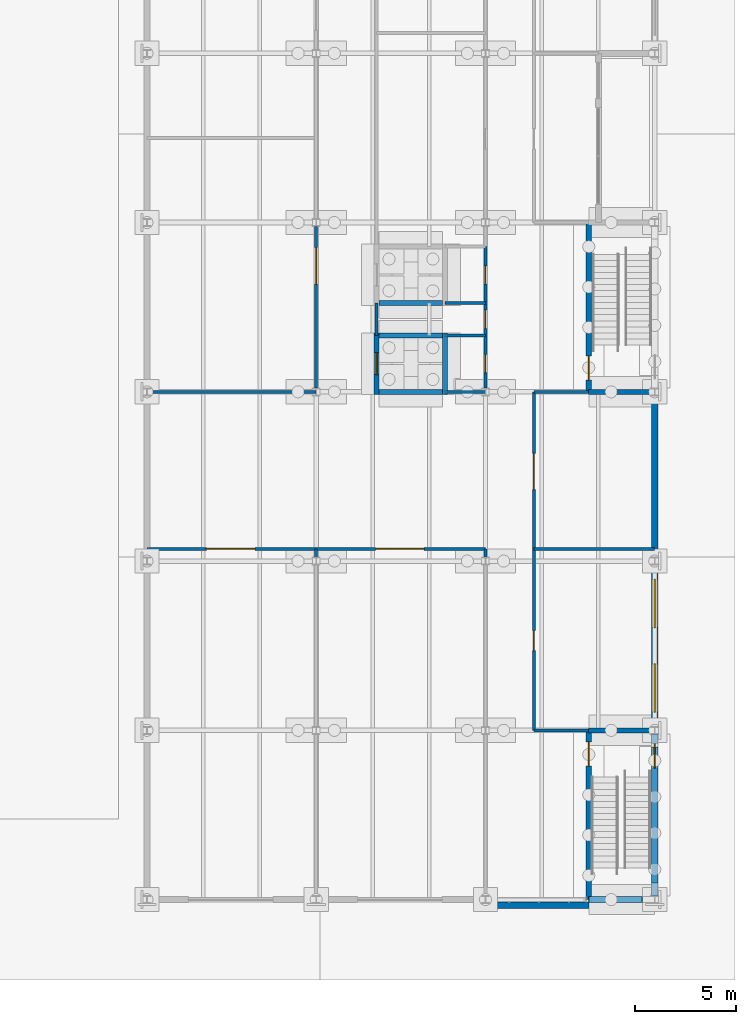
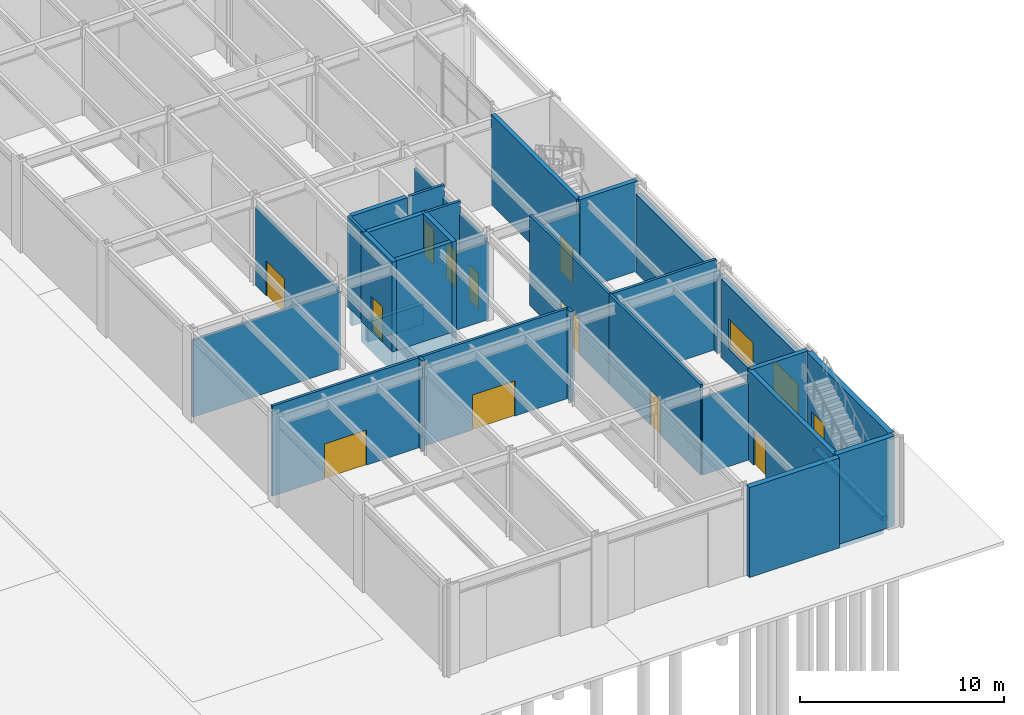
# One storey, part 61 of 127: 36 walls, 12 doors, 2 windows, 14 openings.
"""IFC4 building model written with IfcOpenShell, lengths in metres."""

from ifc_helpers import new_model, si_unit, direction, frame, frame_2d, origin, place, context, subcontext, project, spatial, rectangle, extrude, material, layer, layer_set, type_object, element, fill, save


model = new_model("IFC4")

# Units and contexts
model_context = context("Model", 3, precision=1e-05, world=origin(), true_north=direction((0.0, 1.0)))
body_context = subcontext(model_context, "Body", "Model", "MODEL_VIEW")
ifc_project = project(units=[si_unit("LENGTHUNIT", "METRE"), si_unit("AREAUNIT", "SQUARE_METRE"), si_unit("VOLUMEUNIT", "CUBIC_METRE"), si_unit("PLANEANGLEUNIT", "RADIAN"), si_unit("MASSUNIT", "GRAM", prefix="KILO")], contexts=[model_context])

# Site, building, storey
site_placement = place(None, origin())
site = spatial("IfcSite", under=ifc_project, at=site_placement, CompositionType="ELEMENT")
building_placement = place(site_placement, origin())
building = spatial("IfcBuilding", under=site, at=building_placement, Name="Ljudholm Concert House", CompositionType="ELEMENT")
storey_placement = place(building_placement, origin())
storey = spatial("IfcBuildingStorey", under=building, at=storey_placement, Name="L00", CompositionType="ELEMENT", Elevation=0.0)

# Wall, opening, door
ifc_material_1 = material(Name="Gypsum board on steel studs", Category="steel")
ifc_layer_1 = layer(ifc_material_1, 0.14990234375)
ifc_layer_set_1 = layer_set([ifc_layer_1], Name="Gypsum board on steel studs")
wall_type_1 = type_object("IfcWallType", Name="GYPSUM PARTITION 150", PredefinedType="PARTITIONING", material=ifc_layer_set_1)
wall_1_placement = place(storey_placement, frame((104.800048828125, 29.38671875, 0.0), z_axis=(0.0, 0.0, 1.0), x_axis=(0.0, 1.0, 0.0)))
wall_1 = element("IfcWall", 1, at=wall_1_placement, inside=storey, type_object=wall_type_1, Name="Partition", PredefinedType="PARTITIONING", context=body_context, shape_type="SweptSolid", body=[
    extrude(rectangle(XDim=8.026611328125, YDim=0.14990234375, at=frame_2d((4.01318359375, 0.0))), origin(), (0.0, 0.0, 1.0), 4.6865234375),
])
opening_1_placement = place(wall_1_placement, frame((5.163330078125, 0.0, 0.0)))
opening_1 = element("IfcOpeningElement", 2, at=opening_1_placement, cuts=wall_1, Name="Opening D-W00-018", PredefinedType="OPENING", context=body_context, shape_type="SweptSolid", body=[
    extrude(rectangle(XDim=1.800048828125, YDim=2.10009765625, at=frame_2d((0.89990234375, 1.050048828125))), frame((0.0, 0.0849609375, 0.0), z_axis=(0.0, -1.0, 0.0), x_axis=(1.0, 0.0, 0.0)), (0.0, 0.0, 1.0), 0.169921875),
])
ifc_material_2 = material(Name="Hollow metal door in steel frame", Category="steel")
door_type_1 = type_object("IfcDoorType", Name="DOUBLE DOOR 1800x2100", OperationType="DOUBLE_DOOR_SINGLE_SWING", PredefinedType="DOOR", material=ifc_material_2)
door_1_placement = place(opening_1_placement, origin())
door_1 = element("IfcDoor", 3, at=door_1_placement, inside=storey, type_object=door_type_1, Name="Door", OperationType="DOUBLE_DOOR_SINGLE_SWING", OverallHeight=2.10009765625, OverallWidth=1.800048828125, PredefinedType="DOOR", context=body_context, shape_type="SweptSolid", body=[
    extrude(rectangle(XDim=1.800048828125, YDim=2.10009765625, at=frame_2d((0.89990234375, 1.050048828125))), frame((0.0, 0.02490234375, 0.0), z_axis=(0.0, -1.0, 0.0), x_axis=(1.0, 0.0, 0.0)), (0.0, 0.0, 1.0), 0.050048828125),
])
fill(opening_1, door_1)

# Walls
wall_2_placement = place(storey_placement, frame((104.800048828125, 20.986572265625, 0.0), z_axis=(0.0, 0.0, 1.0), x_axis=(0.0, 1.0, 0.0)))
element("IfcWall", 4, at=wall_2_placement, inside=storey, type_object=wall_type_1, Name="Partition", PredefinedType="PARTITIONING", context=body_context, shape_type="SweptSolid", body=[
    extrude(rectangle(XDim=0.413330078125, YDim=0.14990234375, at=frame_2d((0.20654296875, 0.0))), origin(), (0.0, 0.0, 1.0), 5.39990234375),
])
wall_3_placement = place(storey_placement, frame((107.800048828125, 32.0, 0.0), z_axis=(0.0, 0.0, 1.0), x_axis=(0.0, 1.0, 0.0)))
element("IfcWall", 5, at=wall_3_placement, inside=storey, type_object=wall_type_1, Name="Partition", PredefinedType="PARTITIONING", context=body_context, shape_type="SweptSolid", body=[
    extrude(rectangle(XDim=1.60009765625, YDim=0.14990234375, at=frame_2d((0.800048828125, 0.0))), origin(), (0.0, 0.0, 1.0), 5.39990234375),
])
wall_4_placement = place(storey_placement, frame((113.199951171875, 20.986572265625, 0.0), z_axis=(0.0, 0.0, 1.0), x_axis=(0.0, 1.0, 0.0)))
element("IfcWall", 6, at=wall_4_placement, inside=storey, type_object=wall_type_1, Name="Partition", PredefinedType="PARTITIONING", context=body_context, shape_type="SweptSolid", body=[
    extrude(rectangle(XDim=0.413330078125, YDim=0.14990234375, at=frame_2d((0.20654296875, 0.0))), origin(), (0.0, 0.0, 1.0), 5.39990234375),
])

# Wall, openings, doors
wall_5_placement = place(storey_placement, frame((113.199951171875, 29.38671875, 0.0), z_axis=(0.0, 0.0, 1.0), x_axis=(0.0, 1.0, 0.0)))
wall_5 = element("IfcWall", 7, at=wall_5_placement, inside=storey, type_object=wall_type_1, Name="Partition", PredefinedType="PARTITIONING", context=body_context, shape_type="SweptSolid", body=[
    extrude(rectangle(XDim=7.01318359375, YDim=0.14990234375, at=frame_2d((3.506591796875, 0.0))), origin(), (0.0, 0.0, 1.0), 4.6865234375),
])
opening_2_placement = place(wall_5_placement, frame((0.763427734375, 0.0, 0.0)))
opening_2 = element("IfcOpeningElement", 8, at=opening_2_placement, cuts=wall_5, Name="Opening D-W00-024", PredefinedType="OPENING", context=body_context, shape_type="SweptSolid", body=[
    extrude(rectangle(XDim=0.89990234375, YDim=2.10009765625, at=frame_2d((0.449951171875, 1.050048828125))), frame((0.0, 0.0849609375, 0.0), z_axis=(0.0, -1.0, 0.0), x_axis=(1.0, 0.0, 0.0)), (0.0, 0.0, 1.0), 0.169921875),
])
opening_3_placement = place(wall_5_placement, frame((2.96337890625, 0.0, 0.0)))
opening_3 = element("IfcOpeningElement", 9, at=opening_3_placement, cuts=wall_5, Name="Opening D-W00-025", PredefinedType="OPENING", context=body_context, shape_type="SweptSolid", body=[
    extrude(rectangle(XDim=0.89990234375, YDim=2.10009765625, at=frame_2d((0.449951171875, 1.050048828125))), frame((0.0, 0.0849609375, 0.0), z_axis=(0.0, -1.0, 0.0), x_axis=(1.0, 0.0, 0.0)), (0.0, 0.0, 1.0), 0.169921875),
])
opening_4_placement = place(wall_5_placement, frame((5.163330078125, 0.0, 0.0)))
opening_4 = element("IfcOpeningElement", 10, at=opening_4_placement, cuts=wall_5, Name="Opening D-W00-026", PredefinedType="OPENING", context=body_context, shape_type="SweptSolid", body=[
    extrude(rectangle(XDim=0.89990234375, YDim=2.10009765625, at=frame_2d((0.449951171875, 1.050048828125))), frame((0.0, 0.0849609375, 0.0), z_axis=(0.0, -1.0, 0.0), x_axis=(1.0, 0.0, 0.0)), (0.0, 0.0, 1.0), 0.169921875),
])
ifc_material_3 = material(Name="Hollow metal door in steel frame", Category="steel")
door_type_2 = type_object("IfcDoorType", Name="SWING DOOR 900x2100", OperationType="SINGLE_SWING_LEFT", PredefinedType="DOOR", material=ifc_material_3)
door_2_placement = place(opening_2_placement, origin())
door_2 = element("IfcDoor", 11, at=door_2_placement, inside=storey, type_object=door_type_2, Name="Door", OperationType="SINGLE_SWING_RIGHT", OverallHeight=2.10009765625, OverallWidth=0.89990234375, PredefinedType="DOOR", context=body_context, shape_type="SweptSolid", body=[
    extrude(rectangle(XDim=0.89990234375, YDim=2.10009765625, at=frame_2d((0.449951171875, 1.050048828125))), frame((0.0, 0.02490234375, 0.0), z_axis=(0.0, -1.0, 0.0), x_axis=(1.0, 0.0, 0.0)), (0.0, 0.0, 1.0), 0.050048828125),
])
fill(opening_2, door_2)
door_3_placement = place(opening_3_placement, origin())
door_3 = element("IfcDoor", 12, at=door_3_placement, inside=storey, type_object=door_type_2, Name="Door", OperationType="SINGLE_SWING_RIGHT", OverallHeight=2.10009765625, OverallWidth=0.89990234375, PredefinedType="DOOR", context=body_context, shape_type="SweptSolid", body=[
    extrude(rectangle(XDim=0.89990234375, YDim=2.10009765625, at=frame_2d((0.449951171875, 1.050048828125))), frame((0.0, 0.02490234375, 0.0), z_axis=(0.0, -1.0, 0.0), x_axis=(1.0, 0.0, 0.0)), (0.0, 0.0, 1.0), 0.050048828125),
])
fill(opening_3, door_3)
door_4_placement = place(opening_4_placement, origin())
door_4 = element("IfcDoor", 13, at=door_4_placement, inside=storey, type_object=door_type_2, Name="Door", OperationType="SINGLE_SWING_RIGHT", OverallHeight=2.10009765625, OverallWidth=0.89990234375, PredefinedType="DOOR", context=body_context, shape_type="SweptSolid", body=[
    extrude(rectangle(XDim=0.89990234375, YDim=2.10009765625, at=frame_2d((0.449951171875, 1.050048828125))), frame((0.0, 0.02490234375, 0.0), z_axis=(0.0, -1.0, 0.0), x_axis=(1.0, 0.0, 0.0)), (0.0, 0.0, 1.0), 0.050048828125),
])
fill(opening_4, door_4)

# Wall, opening, door
wall_6_placement = place(storey_placement, frame((115.60009765625, 12.39990234375, 0.0), z_axis=(0.0, 0.0, 1.0), x_axis=(0.0, 1.0, 0.0)))
wall_6 = element("IfcWall", 14, at=wall_6_placement, inside=storey, type_object=wall_type_1, Name="Partition", PredefinedType="PARTITIONING", context=body_context, shape_type="SweptSolid", body=[
    extrude(rectangle(XDim=9.0, YDim=0.14990234375, at=frame_2d((4.5, 0.0))), origin(), (0.0, 0.0, 1.0), 5.39990234375),
])
opening_5_placement = place(wall_6_placement, frame((3.949951171875, 0.0, 0.0)))
opening_5 = element("IfcOpeningElement", 15, at=opening_5_placement, cuts=wall_6, Name="Opening D-W00-016", PredefinedType="OPENING", context=body_context, shape_type="SweptSolid", body=[
    extrude(rectangle(XDim=1.0, YDim=2.10009765625, at=frame_2d((0.5, 1.050048828125))), frame((0.0, 0.0849609375, 0.0), z_axis=(0.0, -1.0, 0.0), x_axis=(1.0, 0.0, 0.0)), (0.0, 0.0, 1.0), 0.169921875),
])
ifc_material_4 = material(Name="Hollow metal door in steel frame", Category="steel")
door_type_3 = type_object("IfcDoorType", Name="SWING DOOR 1000x2100", OperationType="SINGLE_SWING_LEFT", PredefinedType="DOOR", material=ifc_material_4)
door_5_placement = place(opening_5_placement, frame((1.0, 0.0, 0.0), z_axis=(0.0, 0.0, 1.0), x_axis=(-1.0, 0.0, 0.0)))
door_5 = element("IfcDoor", 16, at=door_5_placement, inside=storey, type_object=door_type_3, Name="Door", OperationType="SINGLE_SWING_LEFT", OverallHeight=2.10009765625, OverallWidth=1.0, PredefinedType="DOOR", context=body_context, shape_type="SweptSolid", body=[
    extrude(rectangle(XDim=1.0, YDim=2.10009765625, at=frame_2d((0.5, 1.050048828125))), frame((0.0, 0.02490234375, 0.0), z_axis=(0.0, -1.0, 0.0), x_axis=(1.0, 0.0, 0.0)), (0.0, 0.0, 1.0), 0.050048828125),
])
fill(opening_5, door_5)

wall_7_placement = place(storey_placement, frame((115.60009765625, 21.39990234375, 0.0), z_axis=(0.0, 0.0, 1.0), x_axis=(0.0, 1.0, 0.0)))
wall_7 = element("IfcWall", 17, at=wall_7_placement, inside=storey, type_object=wall_type_1, Name="Partition", PredefinedType="PARTITIONING", context=body_context, shape_type="SweptSolid", body=[
    extrude(rectangle(XDim=7.800048828125, YDim=0.14990234375, at=frame_2d((3.89990234375, 0.0))), origin(), (0.0, 0.0, 1.0), 5.39990234375),
])
opening_6_placement = place(wall_7_placement, frame((2.949951171875, 0.0, 0.0)))
opening_6 = element("IfcOpeningElement", 18, at=opening_6_placement, cuts=wall_7, Name="Opening D-W00-017", PredefinedType="OPENING", context=body_context, shape_type="SweptSolid", body=[
    extrude(rectangle(XDim=1.800048828125, YDim=2.10009765625, at=frame_2d((0.89990234375, 1.050048828125))), frame((0.0, 0.0849609375, 0.0), z_axis=(0.0, -1.0, 0.0), x_axis=(1.0, 0.0, 0.0)), (0.0, 0.0, 1.0), 0.169921875),
])
door_6_placement = place(opening_6_placement, frame((1.800048828125, 0.0, 0.0), z_axis=(0.0, 0.0, 1.0), x_axis=(-1.0, 0.0, 0.0)))
door_6 = element("IfcDoor", 19, at=door_6_placement, inside=storey, type_object=door_type_1, Name="Door", OperationType="DOUBLE_DOOR_SINGLE_SWING", OverallHeight=2.10009765625, OverallWidth=1.800048828125, PredefinedType="DOOR", context=body_context, shape_type="SweptSolid", body=[
    extrude(rectangle(XDim=1.800048828125, YDim=2.10009765625, at=frame_2d((0.89990234375, 1.050048828125))), frame((0.0, 0.02490234375, 0.0), z_axis=(0.0, -1.0, 0.0), x_axis=(1.0, 0.0, 0.0)), (0.0, 0.0, 1.0), 0.050048828125),
])
fill(opening_6, door_6)

# Wall
wall_8_placement = place(storey_placement, frame((115.60009765625, 12.39990234375, 0.0), z_axis=(0.0, 0.0, 1.0), x_axis=(1.0, 0.0, 0.0)))
element("IfcWall", 20, at=wall_8_placement, inside=storey, type_object=wall_type_1, Name="Partition", PredefinedType="PARTITIONING", context=body_context, shape_type="SweptSolid", body=[
    extrude(rectangle(XDim=2.724853515625, YDim=0.14990234375, at=frame_2d((1.3623046875, 0.0))), origin(), (0.0, 0.0, 1.0), 4.60791015625),
])

# Wall, openings, doors
wall_9_placement = place(storey_placement, frame((96.39990234375, 21.39990234375, 0.0), z_axis=(0.0, 0.0, 1.0), x_axis=(1.0, 0.0, 0.0)))
wall_9 = element("IfcWall", 21, at=wall_9_placement, inside=storey, type_object=wall_type_1, Name="Partition", PredefinedType="PARTITIONING", context=body_context, shape_type="SweptSolid", body=[
    extrude(rectangle(XDim=16.800048828125, YDim=0.14990234375, at=frame_2d((8.39990234375, 0.0))), origin(), (0.0, 0.0, 1.0), 5.39990234375),
])
opening_7_placement = place(wall_9_placement, frame((2.949951171875, 0.0, 0.0)))
opening_7 = element("IfcOpeningElement", 22, at=opening_7_placement, cuts=wall_9, Name="Opening D-W00-014", PredefinedType="OPENING", context=body_context, shape_type="SweptSolid", body=[
    extrude(rectangle(XDim=2.39990234375, YDim=2.10009765625, at=frame_2d((1.199951171875, 1.050048828125))), frame((0.0, 0.0849609375, 0.0), z_axis=(0.0, -1.0, 0.0), x_axis=(1.0, 0.0, 0.0)), (0.0, 0.0, 1.0), 0.169921875),
])
opening_8_placement = place(wall_9_placement, frame((11.35009765625, 0.0, 0.0)))
opening_8 = element("IfcOpeningElement", 23, at=opening_8_placement, cuts=wall_9, Name="Opening D-W00-015", PredefinedType="OPENING", context=body_context, shape_type="SweptSolid", body=[
    extrude(rectangle(XDim=2.39990234375, YDim=2.10009765625, at=frame_2d((1.199951171875, 1.050048828125))), frame((0.0, 0.0849609375, 0.0), z_axis=(0.0, -1.0, 0.0), x_axis=(1.0, 0.0, 0.0)), (0.0, 0.0, 1.0), 0.169921875),
])
ifc_material_5 = material(Name="Hollow metal door in steel frame", Category="steel")
door_type_4 = type_object("IfcDoorType", Name="DOUBLE DOOR 2400x2100", OperationType="DOUBLE_DOOR_SINGLE_SWING", PredefinedType="DOOR", material=ifc_material_5)
door_7_placement = place(opening_7_placement, origin())
door_7 = element("IfcDoor", 24, at=door_7_placement, inside=storey, type_object=door_type_4, Name="Door", OperationType="DOUBLE_DOOR_SINGLE_SWING", OverallHeight=2.10009765625, OverallWidth=2.39990234375, PredefinedType="DOOR", context=body_context, shape_type="SweptSolid", body=[
    extrude(rectangle(XDim=2.39990234375, YDim=2.10009765625, at=frame_2d((1.199951171875, 1.050048828125))), frame((0.0, 0.02490234375, 0.0), z_axis=(0.0, -1.0, 0.0), x_axis=(1.0, 0.0, 0.0)), (0.0, 0.0, 1.0), 0.050048828125),
])
fill(opening_7, door_7)
door_8_placement = place(opening_8_placement, origin())
door_8 = element("IfcDoor", 25, at=door_8_placement, inside=storey, type_object=door_type_4, Name="Door", OperationType="DOUBLE_DOOR_SINGLE_SWING", OverallHeight=2.10009765625, OverallWidth=2.39990234375, PredefinedType="DOOR", context=body_context, shape_type="SweptSolid", body=[
    extrude(rectangle(XDim=2.39990234375, YDim=2.10009765625, at=frame_2d((1.199951171875, 1.050048828125))), frame((0.0, 0.02490234375, 0.0), z_axis=(0.0, -1.0, 0.0), x_axis=(1.0, 0.0, 0.0)), (0.0, 0.0, 1.0), 0.050048828125),
])
fill(opening_8, door_8)

# Walls
wall_10_placement = place(storey_placement, frame((115.60009765625, 21.39990234375, 0.0), z_axis=(0.0, 0.0, 1.0), x_axis=(1.0, 0.0, 0.0)))
element("IfcWall", 26, at=wall_10_placement, inside=storey, type_object=wall_type_1, Name="Partition", PredefinedType="PARTITIONING", context=body_context, shape_type="SweptSolid", body=[
    extrude(rectangle(XDim=6.0, YDim=0.14990234375, at=frame_2d((3.0, 0.0))), origin(), (0.0, 0.0, 1.0), 5.39990234375),
])
wall_11_placement = place(storey_placement, frame((96.408203125, 29.199951171875, 0.0), z_axis=(0.0, 0.0, 1.0), x_axis=(1.0, 0.0, 0.0)))
element("IfcWall", 27, at=wall_11_placement, inside=storey, type_object=wall_type_1, Name="Partition", PredefinedType="PARTITIONING", context=body_context, shape_type="SweptSolid", body=[
    extrude(rectangle(XDim=8.383544921875, YDim=0.14990234375, at=frame_2d((4.19189453125, 0.0))), origin(), (0.0, 0.0, 1.0), 4.60791015625),
])
wall_12_placement = place(storey_placement, frame((115.60009765625, 29.199951171875, 0.0), z_axis=(0.0, 0.0, 1.0), x_axis=(1.0, 0.0, 0.0)))
element("IfcWall", 28, at=wall_12_placement, inside=storey, type_object=wall_type_1, Name="Partition", PredefinedType="PARTITIONING", context=body_context, shape_type="SweptSolid", body=[
    extrude(rectangle(XDim=2.724853515625, YDim=0.14990234375, at=frame_2d((1.3623046875, 0.0))), origin(), (0.0, 0.0, 1.0), 4.60791015625),
])
wall_13_placement = place(storey_placement, frame((111.199951171875, 29.199951171875, 0.0), z_axis=(0.0, 0.0, 1.0), x_axis=(1.0, 0.0, 0.0)))
element("IfcWall", 29, at=wall_13_placement, inside=storey, type_object=wall_type_1, Name="Partition", PredefinedType="PARTITIONING", context=body_context, shape_type="SweptSolid", body=[
    extrude(rectangle(XDim=1.991943359375, YDim=0.14990234375, at=frame_2d((0.99609375, 0.0))), origin(), (0.0, 0.0, 1.0), 4.60791015625),
])
for number, where, z_axis, x_axis, name in (
    (30, (111.199951171875, 32.0, 0.0), (0.0, 0.0, 1.0), (1.0, 0.0, 0.0), "Partition"),
    (31, (111.199951171875, 33.60009765625, 0.0), (0.0, 0.0, 1.0), (1.0, 0.0, 0.0), "Partition"),
):
    element("IfcWall", number, at=place(storey_placement, frame(where, z_axis=z_axis, x_axis=x_axis)), inside=storey, type_object=wall_type_1, Name=name, PredefinedType="PARTITIONING", context=body_context, shape_type="SweptSolid", body=[
        extrude(rectangle(XDim=2.0, YDim=0.14990234375, at=frame_2d((1.0, 0.0))), origin(), (0.0, 0.0, 1.0), 5.39990234375),
    ])

# Wall, openings, windows
ifc_material_6 = material(Name="Precast concrete 5,000 psi", Category="concrete")
ifc_layer_2 = layer(ifc_material_6, 0.300048828125)
ifc_layer_set_2 = layer_set([ifc_layer_2], Name="Precast concrete 5,000 psi")
wall_type_2 = type_object("IfcWallType", Name="PRECAST PANEL WALL 300", PredefinedType="SOLIDWALL", material=ifc_layer_set_2)
wall_14_placement = place(storey_placement, frame((121.60009765625, 12.586669921875, 0.0), z_axis=(0.0, 0.0, 1.0), x_axis=(0.0, 1.0, 0.0)))
wall_14 = element("IfcWall", 32, at=wall_14_placement, inside=storey, type_object=wall_type_2, Name="Facade wall", PredefinedType="SOLIDWALL", context=body_context, shape_type="SweptSolid", body=[
    extrude(rectangle(XDim=8.026611328125, YDim=0.300048828125, at=frame_2d((4.01318359375, 0.0))), origin(), (0.0, 0.0, 1.0), 4.6865234375),
])
opening_9_placement = place(wall_14_placement, frame((0.71337890625, 0.0, 0.949951171875)))
opening_9 = element("IfcOpeningElement", 33, at=opening_9_placement, cuts=wall_14, Name="Opening X-W00-001", PredefinedType="OPENING", context=body_context, shape_type="SweptSolid", body=[
    extrude(rectangle(XDim=2.39990234375, YDim=1.800048828125, at=frame_2d((1.199951171875, 0.89990234375))), frame((0.0, 0.159912109375, 0.0), z_axis=(0.0, -1.0, 0.0), x_axis=(1.0, 0.0, 0.0)), (0.0, 0.0, 1.0), 0.320068359375),
])
opening_10_placement = place(wall_14_placement, frame((4.913330078125, 0.0, 0.949951171875)))
opening_10 = element("IfcOpeningElement", 34, at=opening_10_placement, cuts=wall_14, Name="Opening X-W00-002", PredefinedType="OPENING", context=body_context, shape_type="SweptSolid", body=[
    extrude(rectangle(XDim=2.39990234375, YDim=1.800048828125, at=frame_2d((1.199951171875, 0.89990234375))), frame((0.0, 0.159912109375, 0.0), z_axis=(0.0, -1.0, 0.0), x_axis=(1.0, 0.0, 0.0)), (0.0, 0.0, 1.0), 0.320068359375),
])
ifc_material_7 = material(Name="Aluminium frame, impact glazing", Category="aluminium")
window_type = type_object("IfcWindowType", Name="CASEMENT WINDOW 2400x1800", PartitioningType="DOUBLE_PANEL_VERTICAL", PredefinedType="WINDOW", material=ifc_material_7)
window_1_placement = place(opening_9_placement, origin())
window_1 = element("IfcWindow", 35, at=window_1_placement, inside=storey, type_object=window_type, Name="Window", OverallHeight=1.800048828125, OverallWidth=2.39990234375, PartitioningType="DOUBLE_PANEL_VERTICAL", PredefinedType="WINDOW", context=body_context, shape_type="SweptSolid", body=[
    extrude(rectangle(XDim=2.39990234375, YDim=1.800048828125, at=frame_2d((1.199951171875, 0.89990234375))), frame((0.0, 0.030029296875, 0.0), z_axis=(0.0, -1.0, 0.0), x_axis=(1.0, 0.0, 0.0)), (0.0, 0.0, 1.0), 0.06005859375),
])
fill(opening_9, window_1)
window_2_placement = place(opening_10_placement, origin())
window_2 = element("IfcWindow", 36, at=window_2_placement, inside=storey, type_object=window_type, Name="Window", OverallHeight=1.800048828125, OverallWidth=2.39990234375, PartitioningType="DOUBLE_PANEL_VERTICAL", PredefinedType="WINDOW", context=body_context, shape_type="SweptSolid", body=[
    extrude(rectangle(XDim=2.39990234375, YDim=1.800048828125, at=frame_2d((1.199951171875, 0.89990234375))), frame((0.0, 0.030029296875, 0.0), z_axis=(0.0, -1.0, 0.0), x_axis=(1.0, 0.0, 0.0)), (0.0, 0.0, 1.0), 0.06005859375),
])
fill(opening_10, window_2)

# Walls
wall_15_placement = place(storey_placement, frame((121.60009765625, 20.986572265625, 0.0), z_axis=(0.0, 0.0, 1.0), x_axis=(0.0, 1.0, 0.0)))
element("IfcWall", 37, at=wall_15_placement, inside=storey, type_object=wall_type_2, Name="Facade wall", PredefinedType="SOLIDWALL", context=body_context, shape_type="SweptSolid", body=[
    extrude(rectangle(XDim=8.02685546875, YDim=0.300048828125, at=frame_2d((4.013427734375, 0.0))), origin(), (0.0, 0.0, 1.0), 4.6865234375),
])
wall_16_placement = place(storey_placement, frame((113.208251953125, 3.720458984375, 0.0), z_axis=(0.0, 0.0, 1.0), x_axis=(1.0, 0.0, 0.0)))
element("IfcWall", 38, at=wall_16_placement, inside=storey, type_object=wall_type_2, Name="Facade wall (braced bay)", PredefinedType="SOLIDWALL", context=body_context, shape_type="SweptSolid", body=[
    extrude(rectangle(XDim=5.11669921875, YDim=0.300048828125, at=frame_2d((2.558349609375, 0.0))), origin(), (0.0, 0.0, 1.0), 5.39990234375),
])

# Wall, opening, door
ifc_material_8 = material(Name="Concrete 6,500 psi", Category="concrete")
ifc_layer_3 = layer(ifc_material_8, 0.25)
ifc_layer_set_3 = layer_set([ifc_layer_3], Name="Concrete 6,500 psi")
wall_type_3 = type_object("IfcWallType", Name="RC CORE WALL 250", PredefinedType="SHEAR", material=ifc_layer_set_3)
wall_17_placement = place(storey_placement, frame((118.324951171875, 4.0, 0.0), z_axis=(0.0, 0.0, 1.0), x_axis=(0.0, 1.0, 0.0)))
wall_17 = element("IfcWall", 39, at=wall_17_placement, inside=storey, type_object=wall_type_3, Name="Stair core wall", PredefinedType="SHEAR", context=body_context, shape_type="SweptSolid", body=[
    extrude(rectangle(XDim=8.39990234375, YDim=0.25, at=frame_2d((4.199951171875, 0.0))), origin(), (0.0, 0.0, 1.0), 5.39990234375),
])
opening_11_placement = place(wall_17_placement, frame((6.625, 0.0, 0.0)))
opening_11 = element("IfcOpeningElement", 40, at=opening_11_placement, cuts=wall_17, Name="Opening D-W00-010", PredefinedType="OPENING", context=body_context, shape_type="SweptSolid", body=[
    extrude(rectangle(XDim=1.199951171875, YDim=2.10009765625, at=frame_2d((0.60009765625, 1.050048828125))), frame((0.0, 0.135009765625, 0.0), z_axis=(0.0, -1.0, 0.0), x_axis=(1.0, 0.0, 0.0)), (0.0, 0.0, 1.0), 0.27001953125),
])
ifc_material_9 = material(Name="Hollow metal door in steel frame", Category="steel")
door_type_5 = type_object("IfcDoorType", Name="SWING DOOR 1200x2100", OperationType="SINGLE_SWING_LEFT", PredefinedType="DOOR", material=ifc_material_9)
door_9_placement = place(opening_11_placement, origin())
door_9 = element("IfcDoor", 41, at=door_9_placement, inside=storey, type_object=door_type_5, Name="Door", OperationType="SINGLE_SWING_RIGHT", OverallHeight=2.10009765625, OverallWidth=1.199951171875, PredefinedType="DOOR", context=body_context, shape_type="SweptSolid", body=[
    extrude(rectangle(XDim=1.199951171875, YDim=2.10009765625, at=frame_2d((0.60009765625, 1.050048828125))), frame((0.0, 0.02490234375, 0.0), z_axis=(0.0, -1.0, 0.0), x_axis=(1.0, 0.0, 0.0)), (0.0, 0.0, 1.0), 0.050048828125),
])
fill(opening_11, door_9)

wall_18_placement = place(storey_placement, frame((118.324951171875, 29.199951171875, 0.0), z_axis=(0.0, 0.0, 1.0), x_axis=(0.0, 1.0, 0.0)))
wall_18 = element("IfcWall", 42, at=wall_18_placement, inside=storey, type_object=wall_type_3, Name="Stair core wall", PredefinedType="SHEAR", context=body_context, shape_type="SweptSolid", body=[
    extrude(rectangle(XDim=8.400146484375, YDim=0.25, at=frame_2d((4.2001953125, 0.0))), origin(), (0.0, 0.0, 1.0), 5.39990234375),
])
opening_12_placement = place(wall_18_placement, frame((0.574951171875, 0.0, 0.0)))
opening_12 = element("IfcOpeningElement", 43, at=opening_12_placement, cuts=wall_18, Name="Opening D-W00-011", PredefinedType="OPENING", context=body_context, shape_type="SweptSolid", body=[
    extrude(rectangle(XDim=1.199951171875, YDim=2.10009765625, at=frame_2d((0.60009765625, 1.050048828125))), frame((0.0, 0.135009765625, 0.0), z_axis=(0.0, -1.0, 0.0), x_axis=(1.0, 0.0, 0.0)), (0.0, 0.0, 1.0), 0.27001953125),
])
door_10_placement = place(opening_12_placement, origin())
door_10 = element("IfcDoor", 44, at=door_10_placement, inside=storey, type_object=door_type_5, Name="Door", OperationType="SINGLE_SWING_LEFT", OverallHeight=2.10009765625, OverallWidth=1.199951171875, PredefinedType="DOOR", context=body_context, shape_type="SweptSolid", body=[
    extrude(rectangle(XDim=1.199951171875, YDim=2.10009765625, at=frame_2d((0.60009765625, 1.050048828125))), frame((0.0, 0.02490234375, 0.0), z_axis=(0.0, -1.0, 0.0), x_axis=(1.0, 0.0, 0.0)), (0.0, 0.0, 1.0), 0.050048828125),
])
fill(opening_12, door_10)

# Walls
for number, where, z_axis, x_axis, name in (
    (45, (118.324951171875, 12.39990234375, 0.0), (0.0, 0.0, 1.0), (1.0, 0.0, 0.0), "Stair core wall"),
    (46, (118.324951171875, 29.199951171875, 0.0), (0.0, 0.0, 1.0), (1.0, 0.0, 0.0), "Stair core wall"),
):
    element("IfcWall", number, at=place(storey_placement, frame(where, z_axis=z_axis, x_axis=x_axis)), inside=storey, type_object=wall_type_3, Name=name, PredefinedType="SHEAR", context=body_context, shape_type="SweptSolid", body=[
        extrude(rectangle(XDim=3.266845703125, YDim=0.25, at=frame_2d((1.63330078125, 0.0))), origin(), (0.0, 0.0, 1.0), 5.39990234375),
    ])

# Wall, opening, door
ifc_material_10 = material(Name="Concrete 6,500 psi", Category="concrete")
ifc_layer_4 = layer(ifc_material_10, 0.300048828125)
ifc_layer_set_4 = layer_set([ifc_layer_4], Name="Concrete 6,500 psi")
wall_type_4 = type_object("IfcWallType", Name="RC CORE WALL 300", PredefinedType="SHEAR", material=ifc_layer_set_4)
wall_19_placement = place(storey_placement, frame((121.60009765625, 4.186767578125, 0.0), z_axis=(0.0, 0.0, 1.0), x_axis=(0.0, 1.0, 0.0)))
wall_19 = element("IfcWall", 47, at=wall_19_placement, inside=storey, type_object=wall_type_4, Name="Stair core wall", PredefinedType="SHEAR", context=body_context, shape_type="SweptSolid", body=[
    extrude(rectangle(XDim=8.026611328125, YDim=0.300048828125, at=frame_2d((4.01318359375, 0.0))), origin(), (0.0, 0.0, 1.0), 5.39990234375),
])
opening_13_placement = place(wall_19_placement, frame((6.33837890625, 0.0, 0.0)))
opening_13 = element("IfcOpeningElement", 48, at=opening_13_placement, cuts=wall_19, Name="Opening D-W00-003", PredefinedType="OPENING", context=body_context, shape_type="SweptSolid", body=[
    extrude(rectangle(XDim=1.199951171875, YDim=2.10009765625, at=frame_2d((0.60009765625, 1.050048828125))), frame((0.0, 0.159912109375, 0.0), z_axis=(0.0, -1.0, 0.0), x_axis=(1.0, 0.0, 0.0)), (0.0, 0.0, 1.0), 0.320068359375),
])
ifc_material_11 = material(Name="Hollow metal door in steel frame", Category="steel")
door_type_6 = type_object("IfcDoorType", Name="SWING DOOR 1200x2100 EXTERNAL", OperationType="SINGLE_SWING_LEFT", PredefinedType="DOOR", material=ifc_material_11)
door_11_placement = place(opening_13_placement, frame((1.199951171875, 0.0, 0.0), z_axis=(0.0, 0.0, 1.0), x_axis=(-1.0, 0.0, 0.0)))
door_11 = element("IfcDoor", 49, at=door_11_placement, inside=storey, type_object=door_type_6, Name="Stair exit door", OperationType="SINGLE_SWING_RIGHT", OverallHeight=2.10009765625, OverallWidth=1.199951171875, PredefinedType="DOOR", context=body_context, shape_type="SweptSolid", body=[
    extrude(rectangle(XDim=1.199951171875, YDim=2.10009765625, at=frame_2d((0.60009765625, 1.050048828125))), frame((0.0, 0.02490234375, 0.0), z_axis=(0.0, -1.0, 0.0), x_axis=(1.0, 0.0, 0.0)), (0.0, 0.0, 1.0), 0.050048828125),
])
fill(opening_13, door_11)

# Wall
wall_20_placement = place(storey_placement, frame((118.324951171875, 4.0, 0.0), z_axis=(0.0, 0.0, 1.0), x_axis=(1.0, 0.0, 0.0)))
element("IfcWall", 50, at=wall_20_placement, inside=storey, type_object=wall_type_4, Name="Stair core wall", PredefinedType="SHEAR", context=body_context, shape_type="SweptSolid", body=[
    extrude(rectangle(XDim=3.266845703125, YDim=0.300048828125, at=frame_2d((1.63330078125, 0.0))), origin(), (0.0, 0.0, 1.0), 5.39990234375),
])

# Wall, opening, door
ifc_material_12 = material(Name="Concrete 6,500 psi", Category="concrete")
ifc_layer_5 = layer(ifc_material_12, 0.25)
ifc_layer_set_5 = layer_set([ifc_layer_5], Name="Concrete 6,500 psi")
wall_type_5 = type_object("IfcWallType", Name="RC WALL 250", PredefinedType="SOLIDWALL", material=ifc_layer_set_5)
wall_21_placement = place(storey_placement, frame((107.800048828125, 29.074951171875, 0.0), z_axis=(0.0, 0.0, 1.0), x_axis=(0.0, 1.0, 0.0)))
wall_21 = element("IfcWall", 51, at=wall_21_placement, inside=storey, type_object=wall_type_5, Name="Lift shaft wall", PredefinedType="SOLIDWALL", context=body_context, shape_type="SweptSolid", body=[
    extrude(rectangle(XDim=3.050048828125, YDim=0.25, at=frame_2d((1.52490234375, 0.0))), origin(), (0.0, 0.0, 1.0), 5.39990234375),
])
opening_14_placement = place(wall_21_placement, frame((0.97509765625, 0.0, 0.0)))
opening_14 = element("IfcOpeningElement", 52, at=opening_14_placement, cuts=wall_21, Name="Opening LD-W00-001", PredefinedType="OPENING", context=body_context, shape_type="SweptSolid", body=[
    extrude(rectangle(XDim=1.10009765625, YDim=2.10009765625, at=frame_2d((0.550048828125, 1.050048828125))), frame((0.0, 0.135009765625, 0.0), z_axis=(0.0, -1.0, 0.0), x_axis=(1.0, 0.0, 0.0)), (0.0, 0.0, 1.0), 0.27001953125),
])
ifc_material_13 = material(Name="Stainless steel sliding landing door, fire-rated", Category="steel")
door_type_7 = type_object("IfcDoorType", Name="LIFT DOOR 1100x2100", OperationType="SLIDING_TO_LEFT", PredefinedType="DOOR", material=ifc_material_13)
door_12_placement = place(opening_14_placement, origin())
door_12 = element("IfcDoor", 53, at=door_12_placement, inside=storey, type_object=door_type_7, Name="Lift landing door", OperationType="SLIDING_TO_LEFT", OverallHeight=2.10009765625, OverallWidth=1.10009765625, PredefinedType="DOOR", context=body_context, shape_type="SweptSolid", body=[
    extrude(rectangle(XDim=1.10009765625, YDim=2.10009765625, at=frame_2d((0.550048828125, 1.050048828125))), frame((0.0, 0.02490234375, 0.0), z_axis=(0.0, -1.0, 0.0), x_axis=(1.0, 0.0, 0.0)), (0.0, 0.0, 1.0), 0.050048828125),
])
fill(opening_14, door_12)

# Walls
wall_22_placement = place(storey_placement, frame((111.199951171875, 29.074951171875, 0.0), z_axis=(0.0, 0.0, 1.0), x_axis=(0.0, 1.0, 0.0)))
element("IfcWall", 54, at=wall_22_placement, inside=storey, type_object=wall_type_5, Name="Lift shaft wall", PredefinedType="SOLIDWALL", context=body_context, shape_type="SweptSolid", body=[
    extrude(rectangle(XDim=3.050048828125, YDim=0.25, at=frame_2d((1.52490234375, 0.0))), origin(), (0.0, 0.0, 1.0), 5.39990234375),
])
for number, where, z_axis, x_axis, name in (
    (55, (107.925048828125, 29.199951171875, 0.0), (0.0, 0.0, 1.0), (1.0, 0.0, 0.0), "Lift shaft wall"),
    (56, (107.925048828125, 32.0, 0.0), (0.0, 0.0, 1.0), (1.0, 0.0, 0.0), "Lift shaft wall"),
):
    element("IfcWall", number, at=place(storey_placement, frame(where, z_axis=z_axis, x_axis=x_axis)), inside=storey, type_object=wall_type_5, Name=name, PredefinedType="SOLIDWALL", context=body_context, shape_type="SweptSolid", body=[
        extrude(rectangle(XDim=3.14990234375, YDim=0.25, at=frame_2d((1.574951171875, 0.0))), origin(), (0.0, 0.0, 1.0), 5.39990234375),
    ])
for number, where, z_axis, x_axis, name in (
    (57, (107.800048828125, 29.074951171875, -1.199951171875), (0.0, 0.0, 1.0), (0.0, 1.0, 0.0), "Lift pit wall"),
    (58, (111.199951171875, 29.074951171875, -1.199951171875), (0.0, 0.0, 1.0), (0.0, 1.0, 0.0), "Lift pit wall"),
):
    element("IfcWall", number, at=place(storey_placement, frame(where, z_axis=z_axis, x_axis=x_axis)), inside=storey, type_object=wall_type_5, Name=name, PredefinedType="SOLIDWALL", context=body_context, shape_type="SweptSolid", body=[
        extrude(rectangle(XDim=3.050048828125, YDim=0.25, at=frame_2d((1.52490234375, 0.0))), origin(), (0.0, 0.0, 1.0), 1.199951171875),
    ])
for number, where, z_axis, x_axis, name in (
    (59, (107.925048828125, 29.199951171875, -1.199951171875), (0.0, 0.0, 1.0), (1.0, 0.0, 0.0), "Lift pit wall"),
    (60, (107.925048828125, 32.0, -1.199951171875), (0.0, 0.0, 1.0), (1.0, 0.0, 0.0), "Lift pit wall"),
):
    element("IfcWall", number, at=place(storey_placement, frame(where, z_axis=z_axis, x_axis=x_axis)), inside=storey, type_object=wall_type_5, Name=name, PredefinedType="SOLIDWALL", context=body_context, shape_type="SweptSolid", body=[
        extrude(rectangle(XDim=3.14990234375, YDim=0.25, at=frame_2d((1.574951171875, 0.0))), origin(), (0.0, 0.0, 1.0), 1.199951171875),
    ])
wall_23_placement = place(storey_placement, frame((107.925048828125, 33.60009765625, 0.0), z_axis=(0.0, 0.0, 1.0), x_axis=(1.0, 0.0, 0.0)))
element("IfcWall", 61, at=wall_23_placement, inside=storey, type_object=wall_type_5, Name="Lift shaft wall", PredefinedType="SOLIDWALL", context=body_context, shape_type="SweptSolid", body=[
    extrude(rectangle(XDim=3.14990234375, YDim=0.25, at=frame_2d((1.574951171875, 0.0))), origin(), (0.0, 0.0, 1.0), 5.39990234375),
])
wall_24_placement = place(storey_placement, frame((107.925048828125, 33.60009765625, -1.199951171875), z_axis=(0.0, 0.0, 1.0), x_axis=(1.0, 0.0, 0.0)))
element("IfcWall", 62, at=wall_24_placement, inside=storey, type_object=wall_type_5, Name="Lift pit wall", PredefinedType="SOLIDWALL", context=body_context, shape_type="SweptSolid", body=[
    extrude(rectangle(XDim=3.14990234375, YDim=0.25, at=frame_2d((1.574951171875, 0.0))), origin(), (0.0, 0.0, 1.0), 1.199951171875),
])
ifc_material_14 = material(Name="Concrete 6,500 psi", Category="concrete")
ifc_layer_6 = layer(ifc_material_14, 0.300048828125)
ifc_layer_set_6 = layer_set([ifc_layer_6], Name="Concrete 6,500 psi")
wall_type_6 = type_object("IfcWallType", Name="RC WALL 300", PredefinedType="SOLIDWALL", material=ifc_layer_set_6)
wall_25_placement = place(storey_placement, frame((121.60009765625, 4.820068359375, -0.25), z_axis=(0.0, 0.0, 1.0), x_axis=(0.0, 1.0, 0.0)))
element("IfcWall", 63, at=wall_25_placement, inside=storey, type_object=wall_type_6, Name="Wall stem", PredefinedType="SOLIDWALL", context=body_context, shape_type="SweptSolid", body=[
    extrude(rectangle(XDim=6.760009765625, YDim=0.300048828125, at=frame_2d((3.3798828125, 0.0))), origin(), (0.0, 0.0, 1.0), 0.25),
])
wall_26_placement = place(storey_placement, frame((118.344970703125, 4.0, -0.25), z_axis=(0.0, 0.0, 1.0), x_axis=(1.0, 0.0, 0.0)))
element("IfcWall", 64, at=wall_26_placement, inside=storey, type_object=wall_type_6, Name="Wall stem", PredefinedType="SOLIDWALL", context=body_context, shape_type="SweptSolid", body=[
    extrude(rectangle(XDim=2.635009765625, YDim=0.300048828125, at=frame_2d((1.3173828125, 0.0))), origin(), (0.0, 0.0, 1.0), 0.25),
])

save(model, "model.ifc")
